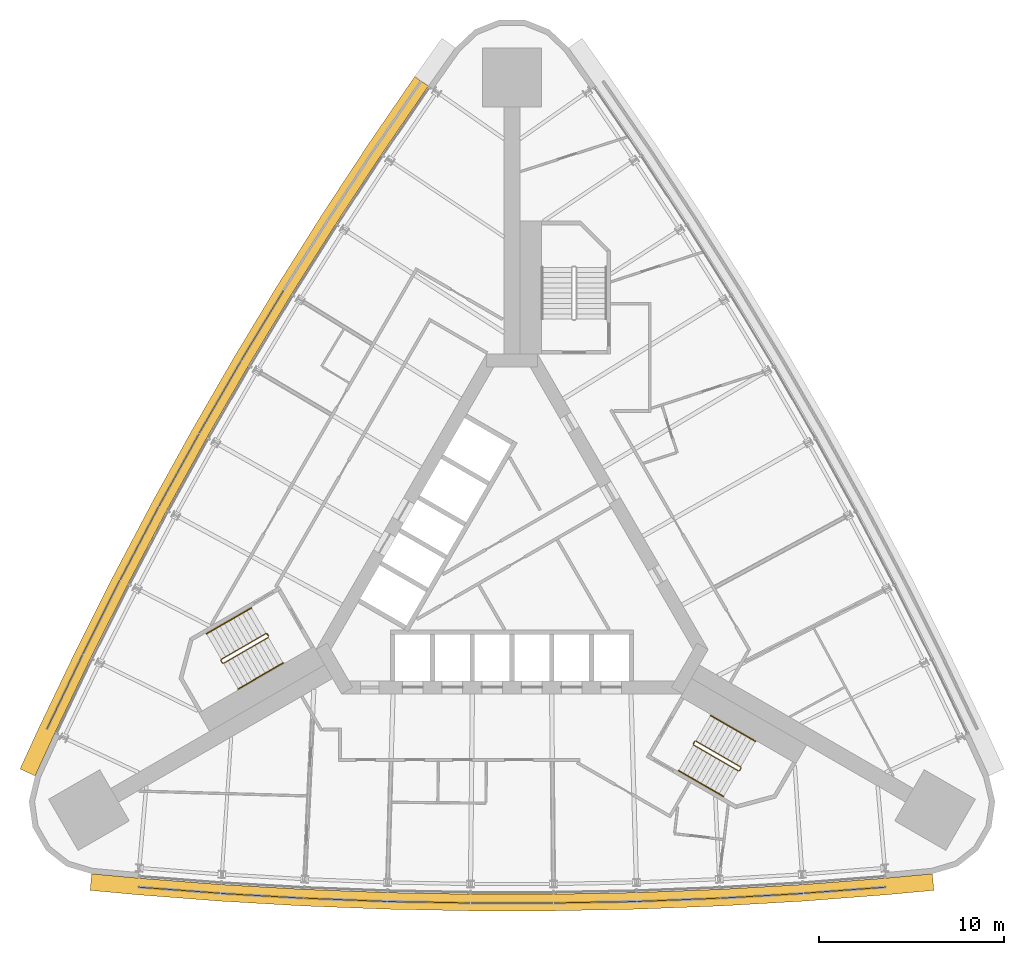
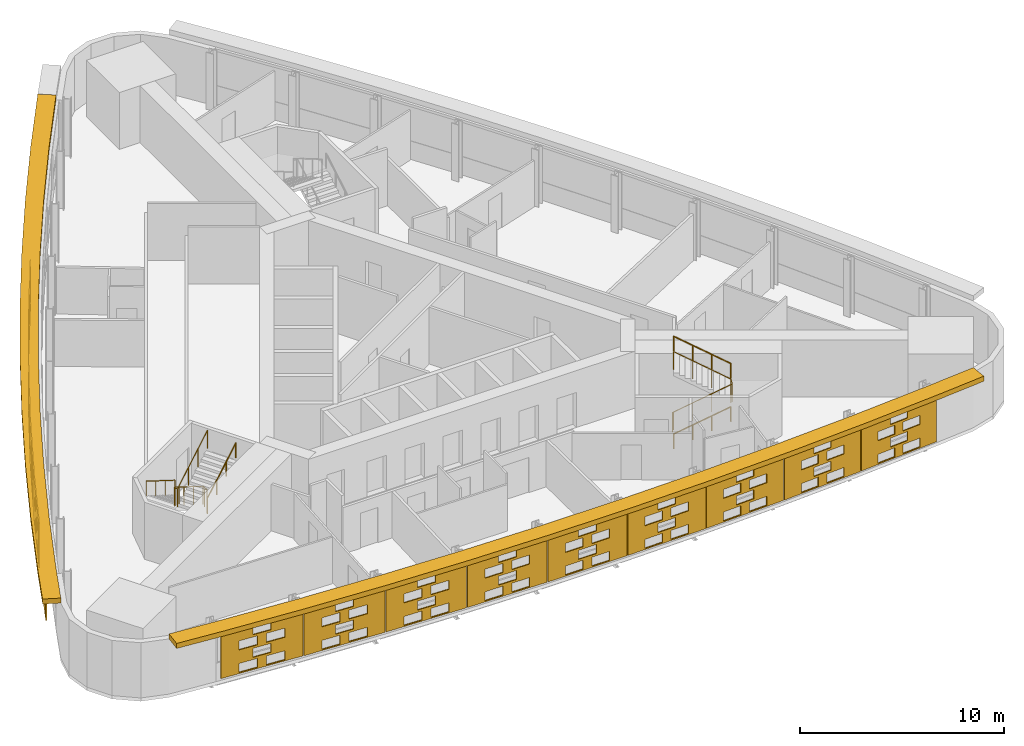
# One storey, part 13 of 14: 17 shading devices, 6 railings.
"""IFC4 building model written with IfcOpenShell, lengths in metres."""

import ifcopenshell
import ifcopenshell.guid

model = None  # the IFC model being written
_history = None  # IfcOwnerHistory: only IFC2X3 demands one
_inside = {}  # id of a spatial element -> (the spatial element, [elements in it])
_under = {}  # id of a project, library or spatial element -> (it, [spatial elements below it])
_declared = {}  # id of a project -> (the project, [libraries it declares])
_typed = {}  # id of a type object -> (the type object, [elements of that type])
_made_of = {}  # id of a material, layer set ... -> (it, [elements and type objects made of it])


def new_model(schema):
    """Start an empty IFC model of exactly this schema.

    Asked for "IFC4X3", IfcOpenShell would pick the latest addendum, in which some entities
    have other attributes; the version numbers below select the first issue.
    IFC2X3 requires an IfcOwnerHistory on every rooted entity: one is made here for all.
    """
    global model, _history
    if schema == "IFC4X3":
        model = ifcopenshell.file(schema_version=(4, 3, 0, 0))
    else:
        model = ifcopenshell.file(schema=schema)
    _inside.clear()
    _under.clear()
    _declared.clear()
    _typed.clear()
    _made_of.clear()
    _history = None
    if model.schema == "IFC2X3":
        org = make("IfcOrganization", Name="unknown")
        user = make(
            "IfcPersonAndOrganization",
            ThePerson=make("IfcPerson", FamilyName="unknown"),
            TheOrganization=org,
        )
        app = make(
            "IfcApplication",
            ApplicationDeveloper=org,
            Version="unknown",
            ApplicationFullName="unknown",
            ApplicationIdentifier="unknown",
        )
        _history = make(
            "IfcOwnerHistory",
            OwningUser=user,
            OwningApplication=app,
            ChangeAction="ADDED",
            CreationDate=0,
        )
    return model


def make(cls, **values):
    """One entity of the class cls with the attributes given. An attribute that is None is left unset."""
    return model.create_entity(
        cls, **{name: value for name, value in values.items() if value is not None}
    )


def rooted(cls, **values):
    """An entity with a GlobalId (a new one), such as an element, a storey or a relation."""
    return make(cls, GlobalId=ifcopenshell.guid.new(), OwnerHistory=_history, **values)


def si_unit(unit_type, name, prefix=None):
    """IfcSIUnit, for example si_unit("LENGTHUNIT", "METRE", prefix="MILLI")."""
    return make("IfcSIUnit", UnitType=unit_type, Prefix=prefix, Name=name)


def assignment(units):
    """IfcUnitAssignment: the units of a project."""
    return None if units is None else make("IfcUnitAssignment", Units=units)


def point(xyz):
    """IfcCartesianPoint."""
    return None if xyz is None else make("IfcCartesianPoint", Coordinates=xyz)


def direction(xyz):
    """IfcDirection."""
    return None if xyz is None else make("IfcDirection", DirectionRatios=xyz)


def frame(location, z_axis=None, x_axis=None):
    """IfcAxis2Placement3D, a coordinate frame: its origin and axes. An axis left out is left unset."""
    return make(
        "IfcAxis2Placement3D",
        Location=point(location),
        Axis=direction(z_axis),
        RefDirection=direction(x_axis),
    )


def frame_2d(location, x_axis=None):
    """IfcAxis2Placement2D, a coordinate frame in the plane: its origin and x axis."""
    return make(
        "IfcAxis2Placement2D", Location=point(location), RefDirection=direction(x_axis)
    )


def origin():
    """The frame at (0, 0, 0) with its axes left unset."""
    return frame((0.0, 0.0, 0.0))


def origin_2d():
    """The frame at (0, 0) in the plane with its x axis left unset."""
    return frame_2d((0.0, 0.0))


def place(relative_to, where):
    """IfcLocalPlacement: puts the frame where relative to a parent placement (None: the world)."""
    return make(
        "IfcLocalPlacement", PlacementRelTo=relative_to, RelativePlacement=where
    )


def context(
    kind, dimensions, precision=None, world=None, true_north=None, identifier=None
):
    """IfcGeometricRepresentationContext, for example the 3D "Model" context."""
    return make(
        "IfcGeometricRepresentationContext",
        ContextIdentifier=identifier,
        ContextType=kind,
        CoordinateSpaceDimension=dimensions,
        Precision=precision,
        WorldCoordinateSystem=world,
        TrueNorth=true_north,
    )


def subcontext(parent, identifier, kind, view, scale=None):
    """IfcGeometricRepresentationSubContext, for example "Body" below "Model"."""
    return make(
        "IfcGeometricRepresentationSubContext",
        ContextIdentifier=identifier,
        ContextType=kind,
        ParentContext=parent,
        TargetScale=scale,
        TargetView=view,
    )


def project(units=None, contexts=None):
    """IfcProject with its units and contexts."""
    return rooted(
        "IfcProject",
        Name="project",
        RepresentationContexts=contexts,
        UnitsInContext=assignment(units),
    )


def spatial(cls, under=None, at=None, **own):
    """A site, building, storey or space (cls), placed at a placement, below another one or the project."""
    s = rooted(cls, ObjectPlacement=at, **own)
    if under is not None:
        _under.setdefault(under.id(), (under, []))[1].append(s)
    return s


def polyline(points):
    """IfcPolyline through the points."""
    return make("IfcPolyline", Points=[point(p) for p in points])


def profile(cls, at=None, kind="AREA", **sizes):
    """A parametric profile (cls). Its sizes go by their IFC names, for example OverallWidth=200.0."""
    return make(cls, ProfileType=kind, Position=at, **sizes)


def circle(**sizes):
    """IfcCircleProfileDef."""
    return profile("IfcCircleProfileDef", **sizes)


def outline(outer, holes=None, kind="AREA"):
    """IfcArbitraryClosedProfileDef: a profile drawn as a closed curve; with holes, ...WithVoids."""
    if holes is None:
        return make("IfcArbitraryClosedProfileDef", ProfileType=kind, OuterCurve=outer)
    return make(
        "IfcArbitraryProfileDefWithVoids",
        ProfileType=kind,
        OuterCurve=outer,
        InnerCurves=holes,
    )


def extrude(swept, where, along, depth):
    """IfcExtrudedAreaSolid: the profile swept, set in the frame where, extruded along a direction by depth."""
    return make(
        "IfcExtrudedAreaSolid",
        SweptArea=swept,
        Position=where,
        ExtrudedDirection=direction(along),
        Depth=depth,
    )


def shape(context_of_items, identifier, shape_type, items):
    """IfcShapeRepresentation: the items that make up one representation, for example the "Body"."""
    return make(
        "IfcShapeRepresentation",
        ContextOfItems=context_of_items,
        RepresentationIdentifier=identifier,
        RepresentationType=shape_type,
        Items=items,
    )


def material(Name=None, Category=None):
    """IfcMaterial."""
    return make("IfcMaterial", Name=Name, Category=Category)


def material_profile(
    of_material, cross_section, Name=None, Category=None, Priority=None
):
    """IfcMaterialProfile: a cross section and its material."""
    return make(
        "IfcMaterialProfile",
        Name=Name,
        Material=of_material,
        Profile=cross_section,
        Priority=Priority,
        Category=Category,
    )


def profile_set(profiles, Name=None, composite=None):
    """IfcMaterialProfileSet."""
    return make(
        "IfcMaterialProfileSet",
        Name=Name,
        MaterialProfiles=profiles,
        CompositeProfile=composite,
    )


def made_of(thing, what):
    """Note that an element or type object is made of a material, layer set ...; save() writes the relation."""
    if what is not None:
        _made_of.setdefault(what.id(), (what, []))[1].append(thing)
    return thing


def type_object(cls, material=None, **own):
    """A type object (cls), such as IfcWallType, which elements share."""
    return made_of(rooted(cls, **own), material)


def element(
    cls,
    number,
    at=None,
    inside=None,
    cuts=None,
    type_object=None,
    material=None,
    context=None,
    identifier="Body",
    shape_type=None,
    held_by="IfcProductDefinitionShape",
    body=None,
    shapes=None,
    **own,
):
    """One element of the class cls, such as IfcWall. Its Tag is "e" and its number.

    at: its placement. inside: the storey or other place that contains it. cuts: it is an
    opening in that element (IfcRelVoidsElement). A single representation is given by context,
    identifier, shape_type and body (its items); several are given by shapes. held_by: the class
    of the entity that holds the representations. save() writes the other relations.
    """
    e = rooted(cls, Tag="e%d" % number, ObjectPlacement=at, **own)
    if body is not None:
        shapes = [shape(context, identifier, shape_type, body)]
    if shapes is not None:
        e.Representation = make(held_by, Representations=shapes)
    if inside is not None:
        _inside.setdefault(inside.id(), (inside, []))[1].append(e)
    if cuts is not None:
        rooted(
            "IfcRelVoidsElement", RelatingBuildingElement=cuts, RelatedOpeningElement=e
        )
    if type_object is not None:
        _typed.setdefault(type_object.id(), (type_object, []))[1].append(e)
    return made_of(e, material)


def aggregate(whole, parts):
    """IfcRelAggregates: a whole, such as a stair, and the parts it consists of."""
    return rooted("IfcRelAggregates", RelatingObject=whole, RelatedObjects=parts)


def save(model, path):
    """Write the relations noted so far, then the file.

    IfcRelAggregates (storeys below a building ...), IfcRelContainedInSpatialStructure (elements
    in a storey), IfcRelDefinesByType, IfcRelAssociatesMaterial and IfcRelDeclares: one each for
    every whole, place, type object, material and project.
    """
    for whole, parts in _under.values():
        aggregate(whole, parts)
    for where, things in _inside.values():
        rooted(
            "IfcRelContainedInSpatialStructure",
            RelatedElements=things,
            RelatingStructure=where,
        )
    for kind, things in _typed.values():
        rooted("IfcRelDefinesByType", RelatedObjects=things, RelatingType=kind)
    for what, things in _made_of.values():
        rooted("IfcRelAssociatesMaterial", RelatedObjects=things, RelatingMaterial=what)
    for by, libraries in _declared.values():
        rooted("IfcRelDeclares", RelatingContext=by, RelatedDefinitions=libraries)
    model.write(path)


model = new_model("IFC4")

# Units and contexts
model_context = context("Model", 3, precision=1e-05, world=origin(), true_north=direction((0.0, 1.0)))
body_context = subcontext(model_context, "Body", "Model", "MODEL_VIEW")
ifc_project = project(units=[si_unit("LENGTHUNIT", "METRE"), si_unit("AREAUNIT", "SQUARE_METRE"), si_unit("VOLUMEUNIT", "CUBIC_METRE"), si_unit("PLANEANGLEUNIT", "RADIAN"), si_unit("MASSUNIT", "GRAM", prefix="KILO")], contexts=[model_context])

# Site, building, storey
site_placement = place(None, origin())
site = spatial("IfcSite", under=ifc_project, at=site_placement, CompositionType="ELEMENT")
building_placement = place(site_placement, origin())
building = spatial("IfcBuilding", under=site, at=building_placement, Name="Noor Cloister Tower", CompositionType="ELEMENT")
storey_placement = place(building_placement, frame((0.0, 0.0, 76.199951171875)))
storey = spatial("IfcBuildingStorey", under=building, at=storey_placement, Name="L19", CompositionType="ELEMENT", Elevation=76.199951171875)

# Shading devices
ifc_material_1 = material(Name="Limestone", Category="masonry")
ifc_material_profile = material_profile(ifc_material_1, outline(polyline([(-2.22998046875, -1.35009765625), (2.22998046875, -1.35009765625), (2.22998046875, 1.35009765625), (-2.22998046875, 1.35009765625), (-2.22998046875, -1.35009765625)]), holes=[polyline([(-1.25, -1.282470703125), (-0.25, -1.282470703125), (-0.25, -0.742431640625), (-1.25, -0.742431640625), (-1.25, -1.282470703125)]), polyline([(0.25, -1.282470703125), (1.25, -1.282470703125), (1.25, -0.742431640625), (0.25, -0.742431640625), (0.25, -1.282470703125)]), polyline([(-0.5, -0.607421875), (0.5, -0.607421875), (0.5, -0.0673828125), (-0.5, -0.0673828125), (-0.5, -0.607421875)]), polyline([(-1.25, 0.0673828125), (-0.25, 0.0673828125), (-0.25, 0.607421875), (-1.25, 0.607421875), (-1.25, 0.0673828125)]), polyline([(0.25, 0.0673828125), (1.25, 0.0673828125), (1.25, 0.607421875), (0.25, 0.607421875), (0.25, 0.0673828125)]), polyline([(-0.5, 0.742431640625), (0.5, 0.742431640625), (0.5, 1.282470703125), (-0.5, 1.282470703125), (-0.5, 0.742431640625)])]), Name="Woven screen 28 percent open")
ifc_profile_set = profile_set([ifc_material_profile], Name="Limestone")
shading_device_type_1 = type_object("IfcShadingDeviceType", Name="SCREEN woven limestone 28 percent open", PredefinedType="USERDEFINED", material=ifc_profile_set)
shading_device_1_placement = place(storey_placement, frame((-13.48583984375, 12.99169921875, 1.85009765625), z_axis=(-0.855690023312, 0.517488728384, 0.0), x_axis=(-0.517488728384, -0.855690023312, 0.0)))
element("IfcShadingDevice", 1, at=shading_device_1_placement, inside=storey, type_object=shading_device_type_1, Name="SCREEN L19 4", ObjectType="SCREEN", PredefinedType="USERDEFINED", context=body_context, shape_type="SweptSolid", body=[
    extrude(outline(polyline([(-2.22998046875, -1.35009765625), (2.22998046875, -1.35009765625), (2.22998046875, 1.35009765625), (-2.22998046875, 1.35009765625), (-2.22998046875, -1.35009765625)]), holes=[polyline([(-1.25, -1.282470703125), (-0.25, -1.282470703125), (-0.25, -0.742431640625), (-1.25, -0.742431640625), (-1.25, -1.282470703125)]), polyline([(0.25, -1.282470703125), (1.25, -1.282470703125), (1.25, -0.742431640625), (0.25, -0.742431640625), (0.25, -1.282470703125)]), polyline([(-0.5, -0.607421875), (0.5, -0.607421875), (0.5, -0.0673828125), (-0.5, -0.0673828125), (-0.5, -0.607421875)]), polyline([(-1.25, 0.0673828125), (-0.25, 0.0673828125), (-0.25, 0.607421875), (-1.25, 0.607421875), (-1.25, 0.0673828125)]), polyline([(0.25, 0.0673828125), (1.25, 0.0673828125), (1.25, 0.607421875), (0.25, 0.607421875), (0.25, 0.0673828125)]), polyline([(-0.5, 0.742431640625), (0.5, 0.742431640625), (0.5, 1.282470703125), (-0.5, 1.282470703125), (-0.5, 0.742431640625)])]), origin(), (0.0, 0.0, 1.0), 0.059814453125),
])
for number, where, z_axis, x_axis, name in (
    (2, (-15.777587890625, 9.109130859375, 1.85009765625), (-0.865982457891, 0.500074377092, 0.0), (-0.500074377092, -0.865982457891, 0.0), "SCREEN L19 5"),
    (3, (-17.993896484375, 5.18310546875, 1.85009765625), (-0.874923997532, 0.484260259099, 0.0), (-0.484260259099, -0.874923997532, 0.0), "SCREEN L19 6"),
):
    element("IfcShadingDevice", number, at=place(storey_placement, frame(where, z_axis=z_axis, x_axis=x_axis)), inside=storey, type_object=shading_device_type_1, Name=name, ObjectType="SCREEN", PredefinedType="USERDEFINED", context=body_context, shape_type="SweptSolid", body=[
        extrude(outline(polyline([(-2.22998046875, -1.35009765625), (2.22998046875, -1.35009765625), (2.22998046875, 1.35009765625), (-2.22998046875, 1.35009765625), (-2.22998046875, -1.35009765625)]), holes=[polyline([(-1.25, -1.282470703125), (-0.25, -1.282470703125), (-0.25, -0.742431640625), (-1.25, -0.742431640625), (-1.25, -1.282470703125)]), polyline([(0.25, -1.282470703125), (1.25, -1.282470703125), (1.25, -0.742431640625), (0.25, -0.742431640625), (0.25, -1.282470703125)]), polyline([(-0.5, -0.607421875), (0.5, -0.607421875), (0.5, -0.0673828125), (-0.5, -0.0673828125), (-0.5, -0.607421875)]), polyline([(-1.25, 0.0673828125), (-0.25, 0.0673828125), (-0.25, 0.607421875), (-1.25, 0.607421875), (-1.25, 0.0673828125)]), polyline([(0.25, 0.0673828125), (1.25, 0.0673828125), (1.25, 0.607421875), (0.25, 0.607421875), (0.25, 0.0673828125)]), polyline([(-0.5, 0.742431640625), (0.5, 0.742431640625), (0.5, 1.282470703125), (-0.5, 1.282470703125), (-0.5, 0.742431640625)])]), origin(), (0.0, 0.0, 1.0), 0.06005859375),
    ])
shading_device_2_placement = place(storey_placement, frame((-20.13427734375, 1.21533203125, 1.85009765625), z_axis=(-0.885271944608, 0.465073740486, 0.0), x_axis=(-0.465073740486, -0.885271944608, 0.0)))
element("IfcShadingDevice", 4, at=shading_device_2_placement, inside=storey, type_object=shading_device_type_1, Name="SCREEN L19 7", ObjectType="SCREEN", PredefinedType="USERDEFINED", context=body_context, shape_type="SweptSolid", body=[
    extrude(outline(polyline([(-2.22998046875, -1.35009765625), (2.22998046875, -1.35009765625), (2.22998046875, 1.35009765625), (-2.22998046875, 1.35009765625), (-2.22998046875, -1.35009765625)]), holes=[polyline([(-1.25, -1.282470703125), (-0.25, -1.282470703125), (-0.25, -0.742431640625), (-1.25, -0.742431640625), (-1.25, -1.282470703125)]), polyline([(0.25, -1.282470703125), (1.25, -1.282470703125), (1.25, -0.742431640625), (0.25, -0.742431640625), (0.25, -1.282470703125)]), polyline([(-0.5, -0.607421875), (0.5, -0.607421875), (0.5, -0.0673828125), (-0.5, -0.0673828125), (-0.5, -0.607421875)]), polyline([(-1.25, 0.0673828125), (-0.25, 0.0673828125), (-0.25, 0.607421875), (-1.25, 0.607421875), (-1.25, 0.0673828125)]), polyline([(0.25, 0.0673828125), (1.25, 0.0673828125), (1.25, 0.607421875), (0.25, 0.607421875), (0.25, 0.0673828125)]), polyline([(-0.5, 0.742431640625), (0.5, 0.742431640625), (0.5, 1.282470703125), (-0.5, 1.282470703125), (-0.5, 0.742431640625)])]), origin(), (0.0, 0.0, 1.0), 0.059814453125),
])
shading_device_3_placement = place(storey_placement, frame((-22.197509765625, -2.793212890625, 1.85009765625), z_axis=(-0.894427191, 0.4472135955, 0.0), x_axis=(-0.4472135955, -0.894427191, 0.0)))
element("IfcShadingDevice", 5, at=shading_device_3_placement, inside=storey, type_object=shading_device_type_1, Name="SCREEN L19 8", ObjectType="SCREEN", PredefinedType="USERDEFINED", context=body_context, shape_type="SweptSolid", body=[
    extrude(outline(polyline([(-2.22998046875, -1.35009765625), (2.22998046875, -1.35009765625), (2.22998046875, 1.35009765625), (-2.22998046875, 1.35009765625), (-2.22998046875, -1.35009765625)]), holes=[polyline([(-1.25, -1.282470703125), (-0.25, -1.282470703125), (-0.25, -0.742431640625), (-1.25, -0.742431640625), (-1.25, -1.282470703125)]), polyline([(0.25, -1.282470703125), (1.25, -1.282470703125), (1.25, -0.742431640625), (0.25, -0.742431640625), (0.25, -1.282470703125)]), polyline([(-0.5, -0.607421875), (0.5, -0.607421875), (0.5, -0.0673828125), (-0.5, -0.0673828125), (-0.5, -0.607421875)]), polyline([(-1.25, 0.0673828125), (-0.25, 0.0673828125), (-0.25, 0.607421875), (-1.25, 0.607421875), (-1.25, 0.0673828125)]), polyline([(0.25, 0.0673828125), (1.25, 0.0673828125), (1.25, 0.607421875), (0.25, 0.607421875), (0.25, 0.0673828125)]), polyline([(-0.5, 0.742431640625), (0.5, 0.742431640625), (0.5, 1.282470703125), (-0.5, 1.282470703125), (-0.5, 0.742431640625)])]), origin(), (0.0, 0.0, 1.0), 0.06005859375),
])
shading_device_4_placement = place(storey_placement, frame((-24.183349609375, -6.8408203125, 1.85009765625), z_axis=(-0.901650348454, 0.432465777991, 0.0), x_axis=(-0.432465777991, -0.901650348454, 0.0)))
element("IfcShadingDevice", 6, at=shading_device_4_placement, inside=storey, type_object=shading_device_type_1, Name="SCREEN L19 9", ObjectType="SCREEN", PredefinedType="USERDEFINED", context=body_context, shape_type="SweptSolid", body=[
    extrude(outline(polyline([(-2.22998046875, -1.35009765625), (2.22998046875, -1.35009765625), (2.22998046875, 1.35009765625), (-2.22998046875, 1.35009765625), (-2.22998046875, -1.35009765625)]), holes=[polyline([(-1.25, -1.282470703125), (-0.25, -1.282470703125), (-0.25, -0.742431640625), (-1.25, -0.742431640625), (-1.25, -1.282470703125)]), polyline([(0.25, -1.282470703125), (1.25, -1.282470703125), (1.25, -0.742431640625), (0.25, -0.742431640625), (0.25, -1.282470703125)]), polyline([(-0.5, -0.607421875), (0.5, -0.607421875), (0.5, -0.0673828125), (-0.5, -0.0673828125), (-0.5, -0.607421875)]), polyline([(-1.25, 0.0673828125), (-0.25, 0.0673828125), (-0.25, 0.607421875), (-1.25, 0.607421875), (-1.25, 0.0673828125)]), polyline([(0.25, 0.0673828125), (1.25, 0.0673828125), (1.25, 0.607421875), (0.25, 0.607421875), (0.25, 0.0673828125)]), polyline([(-0.5, 0.742431640625), (0.5, 0.742431640625), (0.5, 1.282470703125), (-0.5, 1.282470703125), (-0.5, 0.742431640625)])]), origin(), (0.0, 0.0, 1.0), 0.059814453125),
])
shading_device_5_placement = place(storey_placement, frame((-18.01611328125, -17.52294921875, 1.85009765625), z_axis=(-0.073271902152, -0.99731200151, 0.0), x_axis=(0.99731200151, -0.073271902152, 0.0)))
element("IfcShadingDevice", 7, at=shading_device_5_placement, inside=storey, type_object=shading_device_type_1, Name="SCREEN L19 1", ObjectType="SCREEN", PredefinedType="USERDEFINED", context=body_context, shape_type="SweptSolid", body=[
    extrude(outline(polyline([(-2.22998046875, -1.35009765625), (2.22998046875, -1.35009765625), (2.22998046875, 1.35009765625), (-2.22998046875, 1.35009765625), (-2.22998046875, -1.35009765625)]), holes=[polyline([(-1.25, -1.282470703125), (-0.25, -1.282470703125), (-0.25, -0.742431640625), (-1.25, -0.742431640625), (-1.25, -1.282470703125)]), polyline([(0.25, -1.282470703125), (1.25, -1.282470703125), (1.25, -0.742431640625), (0.25, -0.742431640625), (0.25, -1.282470703125)]), polyline([(-0.5, -0.607421875), (0.5, -0.607421875), (0.5, -0.0673828125), (-0.5, -0.0673828125), (-0.5, -0.607421875)]), polyline([(-1.25, 0.0673828125), (-0.25, 0.0673828125), (-0.25, 0.607421875), (-1.25, 0.607421875), (-1.25, 0.0673828125)]), polyline([(0.25, 0.0673828125), (1.25, 0.0673828125), (1.25, 0.607421875), (0.25, 0.607421875), (0.25, 0.0673828125)]), polyline([(-0.5, 0.742431640625), (0.5, 0.742431640625), (0.5, 1.282470703125), (-0.5, 1.282470703125), (-0.5, 0.742431640625)])]), origin(), (0.0, 0.0, 1.0), 0.06005859375),
])
for number, where, z_axis, x_axis, name in (
    (8, (-13.517822265625, -17.8271484375, 1.85009765625), (-0.057049790539, -0.998371334424, 0.0), (0.998371334424, -0.057049790539, 0.0), "SCREEN L19 2"),
    (9, (-9.0146484375, -18.04443359375, 1.85009765625), (-0.040782369514, -0.999168053101, 0.0), (0.999168053101, -0.040782369514, 0.0), "SCREEN L19 3"),
):
    element("IfcShadingDevice", number, at=place(storey_placement, frame(where, z_axis=z_axis, x_axis=x_axis)), inside=storey, type_object=shading_device_type_1, Name=name, ObjectType="SCREEN", PredefinedType="USERDEFINED", context=body_context, shape_type="SweptSolid", body=[
        extrude(outline(polyline([(-2.22998046875, -1.35009765625), (2.22998046875, -1.35009765625), (2.22998046875, 1.35009765625), (-2.22998046875, 1.35009765625), (-2.22998046875, -1.35009765625)]), holes=[polyline([(-1.25, -1.282470703125), (-0.25, -1.282470703125), (-0.25, -0.742431640625), (-1.25, -0.742431640625), (-1.25, -1.282470703125)]), polyline([(0.25, -1.282470703125), (1.25, -1.282470703125), (1.25, -0.742431640625), (0.25, -0.742431640625), (0.25, -1.282470703125)]), polyline([(-0.5, -0.607421875), (0.5, -0.607421875), (0.5, -0.0673828125), (-0.5, -0.0673828125), (-0.5, -0.607421875)]), polyline([(-1.25, 0.0673828125), (-0.25, 0.0673828125), (-0.25, 0.607421875), (-1.25, 0.607421875), (-1.25, 0.0673828125)]), polyline([(0.25, 0.0673828125), (1.25, 0.0673828125), (1.25, 0.607421875), (0.25, 0.607421875), (0.25, 0.0673828125)]), polyline([(-0.5, 0.742431640625), (0.5, 0.742431640625), (0.5, 1.282470703125), (-0.5, 1.282470703125), (-0.5, 0.742431640625)])]), origin(), (0.0, 0.0, 1.0), 0.059814453125),
    ])
for number, where, z_axis, x_axis, name in (
    (10, (-4.50830078125, -18.1748046875, 1.85009765625), (-0.016258013492, -0.999867829764, 0.0), (0.999867829764, -0.016258013492, 0.0), "SCREEN L19 4"),
    (11, (0.0, -18.21826171875, 1.85009765625), (0.0, -1.0, 0.0), (1.0, 0.0, 0.0), "SCREEN L19 5"),
    (12, (4.50830078125, -18.1748046875, 1.85009765625), (0.016258013492, -0.999867829764, 0.0), (0.999867829764, 0.016258013492, 0.0), "SCREEN L19 6"),
):
    element("IfcShadingDevice", number, at=place(storey_placement, frame(where, z_axis=z_axis, x_axis=x_axis)), inside=storey, type_object=shading_device_type_1, Name=name, ObjectType="SCREEN", PredefinedType="USERDEFINED", context=body_context, shape_type="SweptSolid", body=[
        extrude(outline(polyline([(-2.22998046875, -1.35009765625), (2.22998046875, -1.35009765625), (2.22998046875, 1.35009765625), (-2.22998046875, 1.35009765625), (-2.22998046875, -1.35009765625)]), holes=[polyline([(-1.25, -1.282470703125), (-0.25, -1.282470703125), (-0.25, -0.742431640625), (-1.25, -0.742431640625), (-1.25, -1.282470703125)]), polyline([(0.25, -1.282470703125), (1.25, -1.282470703125), (1.25, -0.742431640625), (0.25, -0.742431640625), (0.25, -1.282470703125)]), polyline([(-0.5, -0.607421875), (0.5, -0.607421875), (0.5, -0.0673828125), (-0.5, -0.0673828125), (-0.5, -0.607421875)]), polyline([(-1.25, 0.0673828125), (-0.25, 0.0673828125), (-0.25, 0.607421875), (-1.25, 0.607421875), (-1.25, 0.0673828125)]), polyline([(0.25, 0.0673828125), (1.25, 0.0673828125), (1.25, 0.607421875), (0.25, 0.607421875), (0.25, 0.0673828125)]), polyline([(-0.5, 0.742431640625), (0.5, 0.742431640625), (0.5, 1.282470703125), (-0.5, 1.282470703125), (-0.5, 0.742431640625)])]), origin(), (0.0, 0.0, 1.0), 0.06005859375),
    ])
for number, where, z_axis, x_axis, name in (
    (13, (9.0146484375, -18.04443359375, 1.85009765625), (0.040782369514, -0.999168053101, 0.0), (0.999168053101, 0.040782369514, 0.0), "SCREEN L19 7"),
    (14, (13.517822265625, -17.8271484375, 1.85009765625), (0.057049790539, -0.998371334424, 0.0), (0.998371334424, 0.057049790539, 0.0), "SCREEN L19 8"),
):
    element("IfcShadingDevice", number, at=place(storey_placement, frame(where, z_axis=z_axis, x_axis=x_axis)), inside=storey, type_object=shading_device_type_1, Name=name, ObjectType="SCREEN", PredefinedType="USERDEFINED", context=body_context, shape_type="SweptSolid", body=[
        extrude(outline(polyline([(-2.22998046875, -1.35009765625), (2.22998046875, -1.35009765625), (2.22998046875, 1.35009765625), (-2.22998046875, 1.35009765625), (-2.22998046875, -1.35009765625)]), holes=[polyline([(-1.25, -1.282470703125), (-0.25, -1.282470703125), (-0.25, -0.742431640625), (-1.25, -0.742431640625), (-1.25, -1.282470703125)]), polyline([(0.25, -1.282470703125), (1.25, -1.282470703125), (1.25, -0.742431640625), (0.25, -0.742431640625), (0.25, -1.282470703125)]), polyline([(-0.5, -0.607421875), (0.5, -0.607421875), (0.5, -0.0673828125), (-0.5, -0.0673828125), (-0.5, -0.607421875)]), polyline([(-1.25, 0.0673828125), (-0.25, 0.0673828125), (-0.25, 0.607421875), (-1.25, 0.607421875), (-1.25, 0.0673828125)]), polyline([(0.25, 0.0673828125), (1.25, 0.0673828125), (1.25, 0.607421875), (0.25, 0.607421875), (0.25, 0.0673828125)]), polyline([(-0.5, 0.742431640625), (0.5, 0.742431640625), (0.5, 1.282470703125), (-0.5, 1.282470703125), (-0.5, 0.742431640625)])]), origin(), (0.0, 0.0, 1.0), 0.059814453125),
    ])
shading_device_6_placement = place(storey_placement, frame((18.01611328125, -17.52294921875, 1.85009765625), z_axis=(0.073271902152, -0.99731200151, 0.0), x_axis=(0.99731200151, 0.073271902152, 0.0)))
element("IfcShadingDevice", 15, at=shading_device_6_placement, inside=storey, type_object=shading_device_type_1, Name="SCREEN L19 9", ObjectType="SCREEN", PredefinedType="USERDEFINED", context=body_context, shape_type="SweptSolid", body=[
    extrude(outline(polyline([(-2.22998046875, -1.35009765625), (2.22998046875, -1.35009765625), (2.22998046875, 1.35009765625), (-2.22998046875, 1.35009765625), (-2.22998046875, -1.35009765625)]), holes=[polyline([(-1.25, -1.282470703125), (-0.25, -1.282470703125), (-0.25, -0.742431640625), (-1.25, -0.742431640625), (-1.25, -1.282470703125)]), polyline([(0.25, -1.282470703125), (1.25, -1.282470703125), (1.25, -0.742431640625), (0.25, -0.742431640625), (0.25, -1.282470703125)]), polyline([(-0.5, -0.607421875), (0.5, -0.607421875), (0.5, -0.0673828125), (-0.5, -0.0673828125), (-0.5, -0.607421875)]), polyline([(-1.25, 0.0673828125), (-0.25, 0.0673828125), (-0.25, 0.607421875), (-1.25, 0.607421875), (-1.25, 0.0673828125)]), polyline([(0.25, 0.0673828125), (1.25, 0.0673828125), (1.25, 0.607421875), (0.25, 0.607421875), (0.25, 0.0673828125)]), polyline([(-0.5, 0.742431640625), (0.5, 0.742431640625), (0.5, 1.282470703125), (-0.5, 1.282470703125), (-0.5, 0.742431640625)])]), origin(), (0.0, 0.0, 1.0), 0.06005859375),
])
ifc_material_2 = material(Name="Limestone", Category="masonry")
shading_device_type_2 = type_object("IfcShadingDeviceType", Name="SUNSHADE limestone band 900", PredefinedType="USERDEFINED", material=ifc_material_2)
shading_device_7_placement = place(storey_placement, frame((0.0, 0.0, 3.300048828125)))
element("IfcShadingDevice", 16, at=shading_device_7_placement, inside=storey, type_object=shading_device_type_2, Name="SUNSHADE L19 1", ObjectType="SUNSHADE", PredefinedType="USERDEFINED", context=body_context, shape_type="SweptSolid", body=[
    extrude(outline(polyline([(-5.2666015625, 26.47412109375), (-7.815185546875, 22.7548828125), (-10.29638671875, 18.97998046875), (-12.704345703125, 15.157958984375), (-15.037841796875, 11.290283203125), (-17.296630859375, 7.378173828125), (-19.479248046875, 3.423095703125), (-21.58544921875, -0.572998046875), (-23.614013671875, -4.609375), (-25.5634765625, -8.68212890625), (-26.626708984375, -10.992431640625), (-25.809326171875, -11.36865234375), (-24.748779296875, -9.064697265625), (-22.805908203125, -5.005615234375), (-20.78515625, -0.985107421875), (-18.687255859375, 2.995849609375), (-16.5126953125, 6.935546875), (-14.262939453125, 10.832763671875), (-11.938232421875, 14.685546875), (-9.53955078125, 18.492919921875), (-7.06787109375, 22.25341796875), (-4.524169921875, 25.96533203125), (-5.2666015625, 26.47412109375)])), origin(), (0.0, 0.0, 1.0), 0.300048828125),
])
shading_device_8_placement = place(storey_placement, frame((0.0, 0.0, 3.300048828125)))
element("IfcShadingDevice", 17, at=shading_device_8_placement, inside=storey, type_object=shading_device_type_2, Name="SUNSHADE L19 2", ObjectType="SUNSHADE", PredefinedType="USERDEFINED", context=body_context, shape_type="SweptSolid", body=[
    extrude(outline(polyline([(-22.833251953125, -17.563232421875), (-20.30078125, -17.797607421875), (-15.798828125, -18.145751953125), (-11.2890625, -18.406982421875), (-6.775146484375, -18.581298828125), (-2.258544921875, -18.668212890625), (2.258544921875, -18.668212890625), (6.775146484375, -18.581298828125), (11.2890625, -18.406982421875), (15.798828125, -18.145751953125), (20.30078125, -17.797607421875), (22.833251953125, -17.563232421875), (22.750244140625, -16.6669921875), (20.224609375, -16.900634765625), (15.738037109375, -17.24755859375), (11.24560546875, -17.508056640625), (6.7490234375, -17.681640625), (2.25, -17.768310546875), (-2.25, -17.768310546875), (-6.7490234375, -17.681640625), (-11.24560546875, -17.508056640625), (-15.738037109375, -17.24755859375), (-20.224609375, -16.900634765625), (-22.750244140625, -16.6669921875), (-22.833251953125, -17.563232421875)])), origin(), (0.0, 0.0, 1.0), 0.300048828125),
])

# Railings
ifc_material_3 = material(Name="Stainless steel", Category="steel")
railing_type_1 = type_object("IfcRailingType", Name="Stair guard 1100", PredefinedType="GUARDRAIL", material=ifc_material_3)
railing_1_placement = place(storey_placement, frame((-13.241455078125, -3.677734375, 0.0)))
element("IfcRailing", 18, at=railing_1_placement, inside=storey, type_object=railing_type_1, Name="Stair guard ST2 L19", PredefinedType="GUARDRAIL", context=body_context, shape_type="SweptSolid", body=[
    extrude(circle(Radius=0.02392578125, at=origin_2d()), frame((0.0, 0.0, 1.076171875), z_axis=(0.499112439033, -0.866537231285, 0.0), x_axis=(0.866537231285, 0.499112439033, 0.0)), (0.0, 0.0, 1.0), 0.150146484375),
    extrude(circle(Radius=0.02392578125, at=origin_2d()), frame((0.074951171875, -0.130126953125, 1.076171875), z_axis=(-0.544565797804, 0.563119998752, 0.621565731736), x_axis=(-0.718850276695, -0.695164929852, 0.0)), (0.0, 0.0, 1.0), 0.26318359375),
    extrude(circle(Radius=0.02392578125, at=origin_2d()), frame((-0.068359375, 0.01806640625, 1.23974609375), z_axis=(-0.747689811644, -0.431660630283, 0.504607813879), x_axis=(0.49998411664, -0.866034573852, 0.0)), (0.0, 0.0, 1.0), 3.2431640625),
    extrude(circle(Radius=0.02392578125, at=origin_2d()), frame((-2.4931640625, -1.3818359375, 2.8759765625), z_axis=(-0.258736085224, -0.965948051503, 0.0), x_axis=(0.965948051503, -0.258736085224, 0.0)), (0.0, 0.0, 1.0), 0.07080078125),
    extrude(circle(Radius=0.02392578125, at=origin_2d()), frame((-2.511474609375, -1.4501953125, 2.8759765625), z_axis=(0.499816412211, -0.866131372301, 0.0), x_axis=(0.866131372301, 0.499816412211, 0.0)), (0.0, 0.0, 1.0), 0.14990234375),
    extrude(circle(Radius=0.02392578125, at=origin_2d()), frame((-2.4365234375, -1.580078125, 2.8759765625), z_axis=(0.383552647116, -0.102737316192, 0.917786691313), x_axis=(0.258736085224, 0.965948051503, 0.0)), (0.0, 0.0, 1.0), 0.17822265625),
    extrude(circle(Radius=0.02392578125, at=origin_2d()), frame((-2.3681640625, -1.598388671875, 3.03955078125), z_axis=(0.747665513933, 0.431721881032, 0.504591415616), x_axis=(-0.500049511043, 0.865996816683, 0.0)), (0.0, 0.0, 1.0), 3.2431640625),
    extrude(circle(Radius=0.02099609375, at=origin_2d()), origin(), (0.0, 0.0, 1.0), 1.052001953125),
    extrude(circle(Radius=0.02099609375, at=origin_2d()), frame((0.074951171875, -0.130126953125, 0.0)), (0.0, 0.0, 1.0), 1.052001953125),
    extrude(circle(Radius=0.02099609375, at=origin_2d()), frame((-0.068359375, 0.01806640625, 0.16357421875)), (0.0, 0.0, 1.0), 1.052001953125),
    extrude(circle(Radius=0.02099609375, at=origin_2d()), frame((-0.876708984375, -0.448486328125, 0.708984375)), (0.0, 0.0, 1.0), 1.052001953125),
    extrude(circle(Radius=0.02099609375, at=origin_2d()), frame((-1.684814453125, -0.915283203125, 1.254638671875)), (0.0, 0.0, 1.0), 1.052001953125),
    extrude(circle(Radius=0.02099609375, at=origin_2d()), frame((-2.4931640625, -1.3818359375, 1.800048828125)), (0.0, 0.0, 1.0), 1.052001953125),
    extrude(circle(Radius=0.02099609375, at=origin_2d()), frame((-2.511474609375, -1.4501953125, 1.800048828125)), (0.0, 0.0, 1.0), 1.052001953125),
    extrude(circle(Radius=0.02099609375, at=origin_2d()), frame((-2.4365234375, -1.580078125, 1.800048828125)), (0.0, 0.0, 1.0), 1.052001953125),
    extrude(circle(Radius=0.02099609375, at=origin_2d()), frame((-2.3681640625, -1.598388671875, 1.963623046875)), (0.0, 0.0, 1.0), 1.052001953125),
    extrude(circle(Radius=0.02099609375, at=origin_2d()), frame((-1.559814453125, -1.131591796875, 2.509033203125)), (0.0, 0.0, 1.0), 1.052001953125),
    extrude(circle(Radius=0.02099609375, at=origin_2d()), frame((-0.751708984375, -0.6650390625, 3.0546875)), (0.0, 0.0, 1.0), 1.052001953125),
    extrude(circle(Radius=0.02099609375, at=origin_2d()), frame((0.056640625, -0.1982421875, 3.60009765625)), (0.0, 0.0, 1.0), 1.052001953125),
])
railing_2_placement = place(storey_placement, frame((9.805908203125, -9.628662109375, 0.0)))
element("IfcRailing", 19, at=railing_2_placement, inside=storey, type_object=railing_type_1, Name="Stair guard ST3 L19", PredefinedType="GUARDRAIL", context=body_context, shape_type="SweptSolid", body=[
    extrude(circle(Radius=0.02392578125, at=origin_2d()), frame((0.0, 0.0, 1.076171875), z_axis=(0.499112439033, 0.866537231285, 0.0), x_axis=(-0.866537231285, 0.499112439033, 0.0)), (0.0, 0.0, 1.0), 0.150146484375),
    extrude(circle(Radius=0.02392578125, at=origin_2d()), frame((0.074951171875, 0.130126953125, 1.076171875), z_axis=(-0.215214839654, -0.753251938789, 0.621525614518), x_axis=(0.961523947641, -0.274721127897, 0.0)), (0.0, 0.0, 1.0), 0.26318359375),
    extrude(circle(Radius=0.02392578125, at=origin_2d()), frame((0.018310546875, -0.068115234375, 1.23974609375), z_axis=(0.747665513933, -0.431721881032, 0.504591415616), x_axis=(0.500049511043, 0.865996816683, 0.0)), (0.0, 0.0, 1.0), 3.2431640625),
    extrude(circle(Radius=0.02392578125, at=origin_2d()), frame((2.443115234375, -1.46826171875, 2.8759765625), z_axis=(0.965948051503, 0.258736085224, 0.0), x_axis=(-0.258736085224, 0.965948051503, 0.0)), (0.0, 0.0, 1.0), 0.07080078125),
    extrude(circle(Radius=0.02392578125, at=origin_2d()), frame((2.511474609375, -1.449951171875, 2.8759765625), z_axis=(0.499816412211, 0.866131372301, 0.0), x_axis=(-0.866131372301, 0.499816412211, 0.0)), (0.0, 0.0, 1.0), 0.14990234375),
    extrude(circle(Radius=0.02392578125, at=origin_2d()), frame((2.58642578125, -1.320068359375, 2.8759765625), z_axis=(-0.102737316192, 0.383552647116, 0.917786691313), x_axis=(-0.965948051503, -0.258736085224, 0.0)), (0.0, 0.0, 1.0), 0.17822265625),
    extrude(circle(Radius=0.02392578125, at=origin_2d()), frame((2.568115234375, -1.251708984375, 3.03955078125), z_axis=(-0.747689811644, 0.431660630283, 0.504607813879), x_axis=(-0.49998411664, -0.866034573852, 0.0)), (0.0, 0.0, 1.0), 3.2431640625),
    extrude(circle(Radius=0.02099609375, at=origin_2d()), origin(), (0.0, 0.0, 1.0), 1.052001953125),
    extrude(circle(Radius=0.02099609375, at=origin_2d()), frame((0.074951171875, 0.130126953125, 0.0)), (0.0, 0.0, 1.0), 1.052001953125),
    extrude(circle(Radius=0.02099609375, at=origin_2d()), frame((0.018310546875, -0.068115234375, 0.16357421875)), (0.0, 0.0, 1.0), 1.052001953125),
    extrude(circle(Radius=0.02099609375, at=origin_2d()), frame((0.82666015625, -0.534912109375, 0.708984375)), (0.0, 0.0, 1.0), 1.052001953125),
    extrude(circle(Radius=0.02099609375, at=origin_2d()), frame((1.634765625, -1.00146484375, 1.254638671875)), (0.0, 0.0, 1.0), 1.052001953125),
    extrude(circle(Radius=0.02099609375, at=origin_2d()), frame((2.443115234375, -1.46826171875, 1.800048828125)), (0.0, 0.0, 1.0), 1.052001953125),
    extrude(circle(Radius=0.02099609375, at=origin_2d()), frame((2.511474609375, -1.449951171875, 1.800048828125)), (0.0, 0.0, 1.0), 1.052001953125),
    extrude(circle(Radius=0.02099609375, at=origin_2d()), frame((2.58642578125, -1.320068359375, 1.800048828125)), (0.0, 0.0, 1.0), 1.052001953125),
    extrude(circle(Radius=0.02099609375, at=origin_2d()), frame((2.568115234375, -1.251708984375, 1.963623046875)), (0.0, 0.0, 1.0), 1.052001953125),
    extrude(circle(Radius=0.02099609375, at=origin_2d()), frame((1.759765625, -0.78515625, 2.509033203125)), (0.0, 0.0, 1.0), 1.052001953125),
    extrude(circle(Radius=0.02099609375, at=origin_2d()), frame((0.95166015625, -0.318359375, 3.0546875)), (0.0, 0.0, 1.0), 1.052001953125),
    extrude(circle(Radius=0.02099609375, at=origin_2d()), frame((0.143310546875, 0.148193359375, 3.60009765625)), (0.0, 0.0, 1.0), 1.052001953125),
])
ifc_material_4 = material(Name="Stainless steel", Category="steel")
railing_type_2 = type_object("IfcRailingType", Name="Stair handrail 900", PredefinedType="HANDRAIL", material=ifc_material_4)
railing_3_placement = place(storey_placement, frame((-14.10986328125, -2.27392578125, 0.16357421875)))
element("IfcRailing", 20, at=railing_3_placement, inside=storey, type_object=railing_type_2, Name="Stair handrail ST2 L19 1", PredefinedType="HANDRAIL", context=body_context, shape_type="SweptSolid", body=[
    extrude(circle(Radius=0.02392578125, at=origin_2d()), frame((0.0, 0.0, 0.8759765625), z_axis=(-0.747689811644, -0.431660630283, 0.504607813879), x_axis=(0.49998411664, -0.866034573852, 0.0)), (0.0, 0.0, 1.0), 3.2431640625),
    extrude(circle(Radius=0.02099609375, at=origin_2d()), origin(), (0.0, 0.0, 1.0), 0.851806640625),
    extrude(circle(Radius=0.02099609375, at=origin_2d()), frame((-0.808349609375, -0.466552734375, 0.54541015625)), (0.0, 0.0, 1.0), 0.851806640625),
    extrude(circle(Radius=0.02099609375, at=origin_2d()), frame((-1.616455078125, -0.933349609375, 1.091064453125)), (0.0, 0.0, 1.0), 0.851806640625),
    extrude(circle(Radius=0.02099609375, at=origin_2d()), frame((-2.4248046875, -1.39990234375, 1.636474609375)), (0.0, 0.0, 1.0), 0.851806640625),
])
railing_4_placement = place(storey_placement, frame((-14.8095703125, -6.66162109375, 1.963623046875)))
element("IfcRailing", 21, at=railing_4_placement, inside=storey, type_object=railing_type_2, Name="Stair handrail ST2 L19 2", PredefinedType="HANDRAIL", context=body_context, shape_type="SweptSolid", body=[
    extrude(circle(Radius=0.02392578125, at=origin_2d()), frame((0.0, 0.0, 0.8759765625), z_axis=(0.747689811644, 0.431660630283, 0.504607813879), x_axis=(-0.49998411664, 0.866034573852, 0.0)), (0.0, 0.0, 1.0), 3.2431640625),
    extrude(circle(Radius=0.02099609375, at=origin_2d()), origin(), (0.0, 0.0, 1.0), 0.851806640625),
    extrude(circle(Radius=0.02099609375, at=origin_2d()), frame((0.808349609375, 0.466552734375, 0.54541015625)), (0.0, 0.0, 1.0), 0.851806640625),
    extrude(circle(Radius=0.02099609375, at=origin_2d()), frame((1.616455078125, 0.933349609375, 1.091064453125)), (0.0, 0.0, 1.0), 0.851806640625),
    extrude(circle(Radius=0.02099609375, at=origin_2d()), frame((2.4248046875, 1.39990234375, 1.636474609375)), (0.0, 0.0, 1.0), 0.851806640625),
])
railing_5_placement = place(storey_placement, frame((9.024169921875, -11.08251953125, 0.16357421875)))
element("IfcRailing", 22, at=railing_5_placement, inside=storey, type_object=railing_type_2, Name="Stair handrail ST3 L19 1", PredefinedType="HANDRAIL", context=body_context, shape_type="SweptSolid", body=[
    extrude(circle(Radius=0.02392578125, at=origin_2d()), frame((0.0, 0.0, 0.8759765625), z_axis=(0.747689811644, -0.431660630283, 0.504607813879), x_axis=(0.49998411664, 0.866034573852, 0.0)), (0.0, 0.0, 1.0), 3.2431640625),
    extrude(circle(Radius=0.02099609375, at=origin_2d()), origin(), (0.0, 0.0, 1.0), 0.851806640625),
    extrude(circle(Radius=0.02099609375, at=origin_2d()), frame((0.808349609375, -0.466552734375, 0.54541015625)), (0.0, 0.0, 1.0), 0.851806640625),
    extrude(circle(Radius=0.02099609375, at=origin_2d()), frame((1.616455078125, -0.933349609375, 1.091064453125)), (0.0, 0.0, 1.0), 0.851806640625),
    extrude(circle(Radius=0.02099609375, at=origin_2d()), frame((2.4248046875, -1.39990234375, 1.636474609375)), (0.0, 0.0, 1.0), 0.851806640625),
])
railing_6_placement = place(storey_placement, frame((13.174072265625, -9.49462890625, 1.963623046875)))
element("IfcRailing", 23, at=railing_6_placement, inside=storey, type_object=railing_type_2, Name="Stair handrail ST3 L19 2", PredefinedType="HANDRAIL", context=body_context, shape_type="SweptSolid", body=[
    extrude(circle(Radius=0.02392578125, at=origin_2d()), frame((0.0, 0.0, 0.8759765625), z_axis=(-0.747689811644, 0.431660630283, 0.504607813879), x_axis=(-0.49998411664, -0.866034573852, 0.0)), (0.0, 0.0, 1.0), 3.2431640625),
    extrude(circle(Radius=0.02099609375, at=origin_2d()), origin(), (0.0, 0.0, 1.0), 0.851806640625),
    extrude(circle(Radius=0.02099609375, at=origin_2d()), frame((-0.808349609375, 0.466552734375, 0.54541015625)), (0.0, 0.0, 1.0), 0.851806640625),
    extrude(circle(Radius=0.02099609375, at=origin_2d()), frame((-1.616455078125, 0.933349609375, 1.091064453125)), (0.0, 0.0, 1.0), 0.851806640625),
    extrude(circle(Radius=0.02099609375, at=origin_2d()), frame((-2.4248046875, 1.39990234375, 1.636474609375)), (0.0, 0.0, 1.0), 0.851806640625),
])

save(model, "model.ifc")
